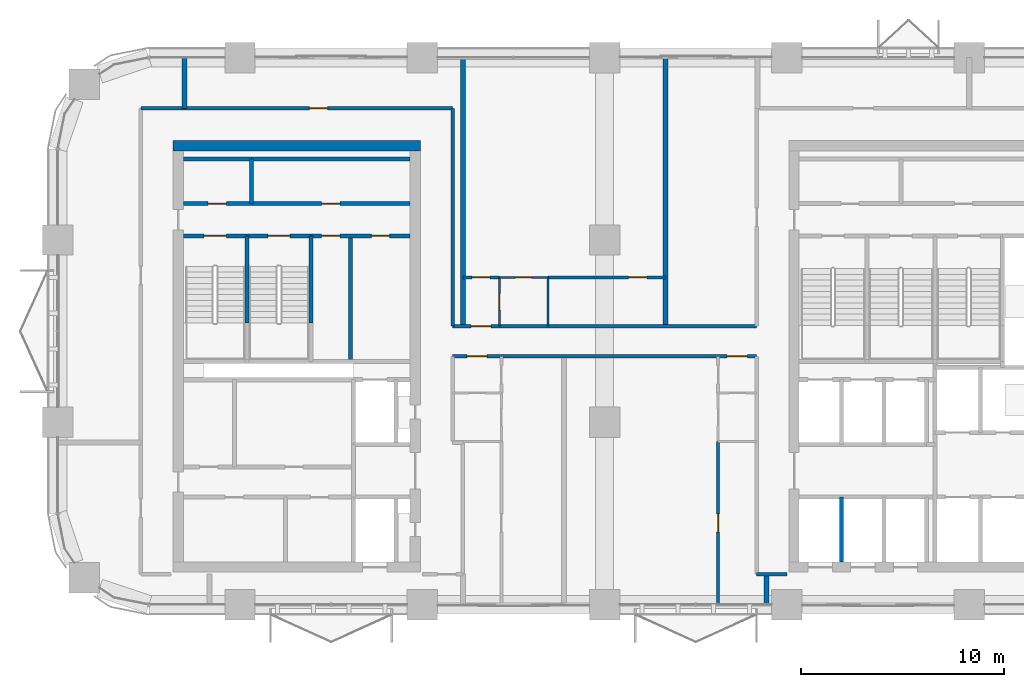
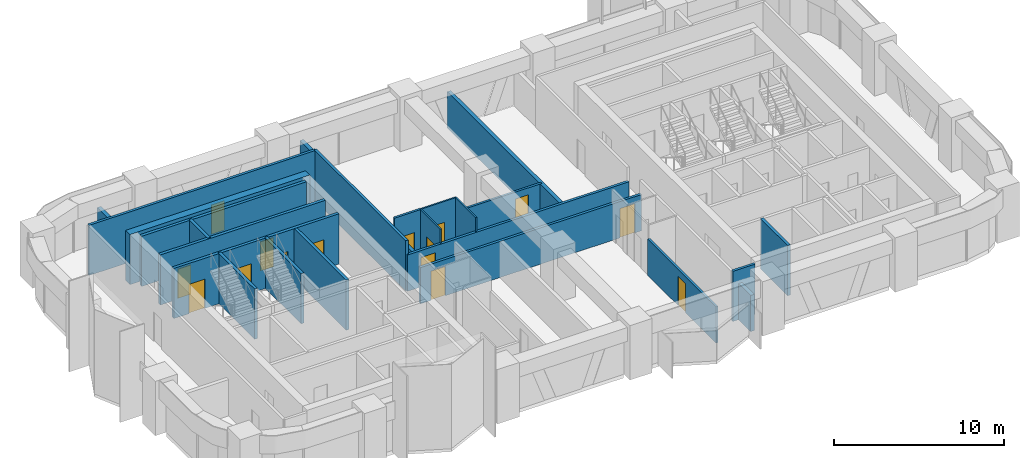
# One storey, part 9 of 14: 25 walls, 15 doors, 15 openings.
"""IFC4 building model written with IfcOpenShell, lengths in metres."""

from ifc_helpers import new_model, si_unit, direction, frame, frame_2d, origin, place, context, subcontext, project, spatial, rectangle, extrude, material, layer, layer_set, type_object, element, fill, save


model = new_model("IFC4")

# Units and contexts
model_context = context("Model", 3, precision=1e-05, world=origin(), true_north=direction((0.0, 1.0)))
body_context = subcontext(model_context, "Body", "Model", "MODEL_VIEW")
ifc_project = project(units=[si_unit("LENGTHUNIT", "METRE"), si_unit("AREAUNIT", "SQUARE_METRE"), si_unit("VOLUMEUNIT", "CUBIC_METRE"), si_unit("PLANEANGLEUNIT", "RADIAN"), si_unit("MASSUNIT", "GRAM", prefix="KILO")], contexts=[model_context])

# Site, building, storey
site_placement = place(None, origin())
site = spatial("IfcSite", under=ifc_project, at=site_placement, CompositionType="ELEMENT")
building_placement = place(site_placement, origin())
building = spatial("IfcBuilding", under=site, at=building_placement, Name="Tessera Arch", CompositionType="ELEMENT")
storey_placement = place(building_placement, frame((0.0, 0.0, 142.699951171875)))
storey = spatial("IfcBuildingStorey", under=building, at=storey_placement, Name="L33", CompositionType="ELEMENT", Elevation=142.699951171875)

# Walls
ifc_material_1 = material(Name="Gypsum board on steel stud", Category="steel")
ifc_layer_1 = layer(ifc_material_1, 0.125)
ifc_layer_set_1 = layer_set([ifc_layer_1], Name="Core partition 125 EI 60")
wall_type_1 = type_object("IfcWallType", Name="Core partition 125 EI 60", PredefinedType="PARTITIONING", material=ifc_layer_set_1)
wall_1_placement = place(storey_placement, frame((9.56005859375, 46.800048828125, 0.0), z_axis=(0.0, 0.0, 1.0), x_axis=(0.0, 1.0, 0.0)))
element("IfcWall", 1, at=wall_1_placement, inside=storey, type_object=wall_type_1, Name="L33 C2 partition wall 4", PredefinedType="PARTITIONING", context=body_context, shape_type="SweptSolid", body=[
    extrude(rectangle(XDim=2.199951171875, YDim=0.199951171875, at=frame_2d((1.10009765625, 0.0))), origin(), (0.0, 0.0, 1.0), 3.60009765625),
])
wall_2_placement = place(storey_placement, frame((14.4599609375, 39.0, 0.0), z_axis=(0.0, 0.0, 1.0), x_axis=(0.0, 1.0, 0.0)))
element("IfcWall", 2, at=wall_2_placement, inside=storey, type_object=wall_type_1, Name="L33 C2 partition wall 8", PredefinedType="PARTITIONING", context=body_context, shape_type="SweptSolid", body=[
    extrude(rectangle(XDim=6.199951171875, YDim=0.199951171875, at=frame_2d((3.10009765625, 0.0))), origin(), (0.0, 0.0, 1.0), 3.60009765625),
])

# Wall, openings, doors
wall_3_placement = place(storey_placement, frame((12.5, 45.199951171875, 0.0), z_axis=(0.0, 0.0, 1.0), x_axis=(1.0, 0.0, 0.0)))
wall_3 = element("IfcWall", 3, at=wall_3_placement, inside=storey, type_object=wall_type_1, Name="L33 C2 partition wall 23", PredefinedType="PARTITIONING", context=body_context, shape_type="SweptSolid", body=[
    extrude(rectangle(XDim=4.89990234375, YDim=0.199951171875, at=frame_2d((2.449951171875, 0.0))), origin(), (0.0, 0.0, 1.0), 3.60009765625),
])
opening_1_placement = place(wall_3_placement, frame((0.530029296875, 0.0, 0.0)))
opening_1 = element("IfcOpeningElement", 4, at=opening_1_placement, cuts=wall_3, Name="Opening L33-C31", PredefinedType="OPENING", context=body_context, shape_type="SweptSolid", body=[
    extrude(rectangle(XDim=0.89990234375, YDim=2.10009765625, at=frame_2d((0.449951171875, 1.050048828125))), frame((0.0, 0.10986328125, 0.0), z_axis=(0.0, -1.0, 0.0), x_axis=(1.0, 0.0, 0.0)), (0.0, 0.0, 1.0), 0.219970703125),
])
opening_2_placement = place(wall_3_placement, frame((2.97998046875, 0.0, 0.0)))
opening_2 = element("IfcOpeningElement", 5, at=opening_2_placement, cuts=wall_3, Name="Opening L33-C32", PredefinedType="OPENING", context=body_context, shape_type="SweptSolid", body=[
    extrude(rectangle(XDim=0.89990234375, YDim=2.10009765625, at=frame_2d((0.449951171875, 1.050048828125))), frame((0.0, 0.10986328125, 0.0), z_axis=(0.0, -1.0, 0.0), x_axis=(1.0, 0.0, 0.0)), (0.0, 0.0, 1.0), 0.219970703125),
])
ifc_material_2 = material(Name="Steel door leaf", Category="steel")
door_type_1 = type_object("IfcDoorType", Name="Store door FD30S 900 x 2100", OperationType="SINGLE_SWING_LEFT", PredefinedType="DOOR", material=ifc_material_2)
door_1_placement = place(opening_1_placement, origin())
door_1 = element("IfcDoor", 6, at=door_1_placement, inside=storey, type_object=door_type_1, Name="L33 C2 door 12 C31 type D09", OperationType="SINGLE_SWING_LEFT", OverallHeight=2.10009765625, OverallWidth=0.89990234375, PredefinedType="DOOR", context=body_context, shape_type="SweptSolid", body=[
    extrude(rectangle(XDim=0.89990234375, YDim=2.10009765625, at=frame_2d((0.449951171875, 1.050048828125))), frame((0.0, 0.02490234375, 0.0), z_axis=(0.0, -1.0, 0.0), x_axis=(1.0, 0.0, 0.0)), (0.0, 0.0, 1.0), 0.050048828125),
])
fill(opening_1, door_1)
door_2_placement = place(opening_2_placement, origin())
door_2 = element("IfcDoor", 7, at=door_2_placement, inside=storey, type_object=door_type_1, Name="L33 C2 door 13 C32 type D09", OperationType="SINGLE_SWING_RIGHT", OverallHeight=2.10009765625, OverallWidth=0.89990234375, PredefinedType="DOOR", context=body_context, shape_type="SweptSolid", body=[
    extrude(rectangle(XDim=0.89990234375, YDim=2.10009765625, at=frame_2d((0.449951171875, 1.050048828125))), frame((0.0, 0.02490234375, 0.0), z_axis=(0.0, -1.0, 0.0), x_axis=(1.0, 0.0, 0.0)), (0.0, 0.0, 1.0), 0.050048828125),
])
fill(opening_2, door_2)

wall_4_placement = place(storey_placement, frame((6.199951171875, 46.800048828125, 0.0), z_axis=(0.0, 0.0, 1.0), x_axis=(1.0, 0.0, 0.0)))
wall_4 = element("IfcWall", 8, at=wall_4_placement, inside=storey, type_object=wall_type_1, Name="L33 C2 partition wall 25", PredefinedType="PARTITIONING", context=body_context, shape_type="SweptSolid", body=[
    extrude(rectangle(XDim=11.199951171875, YDim=0.199951171875, at=frame_2d((5.60009765625, 0.0))), origin(), (0.0, 0.0, 1.0), 3.60009765625),
])
opening_3_placement = place(wall_4_placement, frame((1.22998046875, 0.0, 0.0)))
opening_3 = element("IfcOpeningElement", 9, at=opening_3_placement, cuts=wall_4, Name="Opening L33-C29", PredefinedType="OPENING", context=body_context, shape_type="SweptSolid", body=[
    extrude(rectangle(XDim=0.89990234375, YDim=2.10009765625, at=frame_2d((0.449951171875, 1.050048828125))), frame((0.0, 0.10986328125, 0.0), z_axis=(0.0, -1.0, 0.0), x_axis=(1.0, 0.0, 0.0)), (0.0, 0.0, 1.0), 0.219970703125),
])
opening_4_placement = place(wall_4_placement, frame((6.830078125, 0.0, 0.0)))
opening_4 = element("IfcOpeningElement", 10, at=opening_4_placement, cuts=wall_4, Name="Opening L33-C30", PredefinedType="OPENING", context=body_context, shape_type="SweptSolid", body=[
    extrude(rectangle(XDim=0.89990234375, YDim=2.10009765625, at=frame_2d((0.449951171875, 1.050048828125))), frame((0.0, 0.10986328125, 0.0), z_axis=(0.0, -1.0, 0.0), x_axis=(1.0, 0.0, 0.0)), (0.0, 0.0, 1.0), 0.219970703125),
])
door_3_placement = place(opening_3_placement, origin())
door_3 = element("IfcDoor", 11, at=door_3_placement, inside=storey, type_object=door_type_1, Name="L33 C2 door 10 C29 type D09", OperationType="SINGLE_SWING_LEFT", OverallHeight=2.10009765625, OverallWidth=0.89990234375, PredefinedType="DOOR", context=body_context, shape_type="SweptSolid", body=[
    extrude(rectangle(XDim=0.89990234375, YDim=2.10009765625, at=frame_2d((0.449951171875, 1.050048828125))), frame((0.0, 0.02490234375, 0.0), z_axis=(0.0, -1.0, 0.0), x_axis=(1.0, 0.0, 0.0)), (0.0, 0.0, 1.0), 0.050048828125),
])
fill(opening_3, door_3)
door_4_placement = place(opening_4_placement, origin())
door_4 = element("IfcDoor", 12, at=door_4_placement, inside=storey, type_object=door_type_1, Name="L33 C2 door 11 C30 type D09", OperationType="SINGLE_SWING_RIGHT", OverallHeight=2.10009765625, OverallWidth=0.89990234375, PredefinedType="DOOR", context=body_context, shape_type="SweptSolid", body=[
    extrude(rectangle(XDim=0.89990234375, YDim=2.10009765625, at=frame_2d((0.449951171875, 1.050048828125))), frame((0.0, 0.02490234375, 0.0), z_axis=(0.0, -1.0, 0.0), x_axis=(1.0, 0.0, 0.0)), (0.0, 0.0, 1.0), 0.050048828125),
])
fill(opening_4, door_4)

# Walls
wall_5_placement = place(storey_placement, frame((6.199951171875, 49.0, 0.0), z_axis=(0.0, 0.0, 1.0), x_axis=(1.0, 0.0, 0.0)))
element("IfcWall", 13, at=wall_5_placement, inside=storey, type_object=wall_type_1, Name="L33 C2 partition wall 26", PredefinedType="PARTITIONING", context=body_context, shape_type="SweptSolid", body=[
    extrude(rectangle(XDim=11.199951171875, YDim=0.199951171875, at=frame_2d((5.60009765625, 0.0))), origin(), (0.0, 0.0, 1.0), 3.60009765625),
])
ifc_material_3 = material(Name="Concrete C60/75", Category="concrete")
ifc_layer_2 = layer(ifc_material_3, 0.5)
ifc_layer_set_2 = layer_set([ifc_layer_2], Name="Core shell wall 500 C60-75")
wall_type_2 = type_object("IfcWallType", Name="Core shell wall 500 C60-75", PredefinedType="SHEAR", material=ifc_layer_set_2)
wall_6_placement = place(storey_placement, frame((5.699951171875, 49.64990234375, 0.0), z_axis=(0.0, 0.0, 1.0), x_axis=(1.0, 0.0, 0.0)))
element("IfcWall", 14, at=wall_6_placement, inside=storey, type_object=wall_type_2, Name="L33 C2 core wall N", PredefinedType="SHEAR", context=body_context, shape_type="SweptSolid", body=[
    extrude(rectangle(XDim=12.199951171875, YDim=0.5, at=frame_2d((6.10009765625, 0.0))), origin(), (0.0, 0.0, 1.0), 3.60009765625),
])
ifc_material_4 = material(Name="Gypsum board on deep steel stud with mineral wool", Category="steel")
ifc_layer_3 = layer(ifc_material_4, 0.175048828125)
ifc_layer_set_3 = layer_set([ifc_layer_3], Name="Corridor wall 175 EI 60")
wall_type_3 = type_object("IfcWallType", Name="Corridor wall 175 EI 60", PredefinedType="PARTITIONING", material=ifc_layer_set_3)
wall_7_placement = place(storey_placement, frame((34.5, 28.5, 0.0), z_axis=(0.0, 0.0, 1.0), x_axis=(1.0, 0.0, 0.0)))
element("IfcWall", 15, at=wall_7_placement, inside=storey, type_object=wall_type_3, Name="L33 partition 3", PredefinedType="PARTITIONING", context=body_context, shape_type="SweptSolid", body=[
    extrude(rectangle(XDim=1.5, YDim=0.175048828125, at=frame_2d((0.75, 0.0))), origin(), (0.0, 0.0, 1.0), 3.60009765625),
])

# Wall, openings, doors
wall_8_placement = place(storey_placement, frame((19.5, 39.25, 0.0), z_axis=(0.0, 0.0, 1.0), x_axis=(1.0, 0.0, 0.0)))
wall_8 = element("IfcWall", 16, at=wall_8_placement, inside=storey, type_object=wall_type_3, Name="L33 partition 6", PredefinedType="PARTITIONING", context=body_context, shape_type="SweptSolid", body=[
    extrude(rectangle(XDim=15.0, YDim=0.175048828125, at=frame_2d((7.5, 0.0))), origin(), (0.0, 0.0, 1.0), 2.60009765625),
])
opening_5_placement = place(wall_8_placement, frame((13.550048828125, 0.0, 0.0)))
opening_5 = element("IfcOpeningElement", 17, at=opening_5_placement, cuts=wall_8, Name="Opening L33-D002", PredefinedType="OPENING", context=body_context, shape_type="SweptSolid", body=[
    extrude(rectangle(XDim=1.0, YDim=2.10009765625, at=frame_2d((0.5, 1.050048828125))), frame((0.0, 0.097412109375, 0.0), z_axis=(0.0, -1.0, 0.0), x_axis=(1.0, 0.0, 0.0)), (0.0, 0.0, 1.0), 0.195068359375),
])
opening_6_placement = place(wall_8_placement, frame((0.699951171875, 0.0, 0.0)))
opening_6 = element("IfcOpeningElement", 18, at=opening_6_placement, cuts=wall_8, Name="Opening L33-D007", PredefinedType="OPENING", context=body_context, shape_type="SweptSolid", body=[
    extrude(rectangle(XDim=1.0, YDim=2.10009765625, at=frame_2d((0.5, 1.050048828125))), frame((0.0, 0.097412109375, 0.0), z_axis=(0.0, -1.0, 0.0), x_axis=(1.0, 0.0, 0.0)), (0.0, 0.0, 1.0), 0.195068359375),
])
ifc_material_5 = material(Name="Fire-rated door leaf")
door_type_2 = type_object("IfcDoorType", Name="Entrance door FD30S 1000 x 2100", OperationType="SINGLE_SWING_LEFT", PredefinedType="DOOR", material=ifc_material_5)
door_5_placement = place(opening_5_placement, origin())
door_5 = element("IfcDoor", 19, at=door_5_placement, inside=storey, type_object=door_type_2, Name="L33 door D002 type D03", OperationType="SINGLE_SWING_RIGHT", OverallHeight=2.10009765625, OverallWidth=1.0, PredefinedType="DOOR", context=body_context, shape_type="SweptSolid", body=[
    extrude(rectangle(XDim=1.0, YDim=2.10009765625, at=frame_2d((0.5, 1.050048828125))), frame((0.0, 0.02490234375, 0.0), z_axis=(0.0, -1.0, 0.0), x_axis=(1.0, 0.0, 0.0)), (0.0, 0.0, 1.0), 0.050048828125),
])
fill(opening_5, door_5)
door_6_placement = place(opening_6_placement, origin())
door_6 = element("IfcDoor", 20, at=door_6_placement, inside=storey, type_object=door_type_2, Name="L33 door D007 type D03", OperationType="SINGLE_SWING_LEFT", OverallHeight=2.10009765625, OverallWidth=1.0, PredefinedType="DOOR", context=body_context, shape_type="SweptSolid", body=[
    extrude(rectangle(XDim=1.0, YDim=2.10009765625, at=frame_2d((0.5, 1.050048828125))), frame((0.0, 0.02490234375, 0.0), z_axis=(0.0, -1.0, 0.0), x_axis=(1.0, 0.0, 0.0)), (0.0, 0.0, 1.0), 0.050048828125),
])
fill(opening_6, door_6)

# Wall, opening, door
wall_9_placement = place(storey_placement, frame((19.5, 40.75, 0.0), z_axis=(0.0, 0.0, 1.0), x_axis=(1.0, 0.0, 0.0)))
wall_9 = element("IfcWall", 21, at=wall_9_placement, inside=storey, type_object=wall_type_3, Name="L33 partition 7", PredefinedType="PARTITIONING", context=body_context, shape_type="SweptSolid", body=[
    extrude(rectangle(XDim=15.0, YDim=0.175048828125, at=frame_2d((7.5, 0.0))), origin(), (0.0, 0.0, 1.0), 2.60009765625),
])
opening_7_placement = place(wall_9_placement, frame((0.89990234375, 0.0, 0.0)))
opening_7 = element("IfcOpeningElement", 22, at=opening_7_placement, cuts=wall_9, Name="Opening L33-D014", PredefinedType="OPENING", context=body_context, shape_type="SweptSolid", body=[
    extrude(rectangle(XDim=1.0, YDim=2.10009765625, at=frame_2d((0.5, 1.050048828125))), frame((0.0, 0.097412109375, 0.0), z_axis=(0.0, -1.0, 0.0), x_axis=(1.0, 0.0, 0.0)), (0.0, 0.0, 1.0), 0.195068359375),
])
door_7_placement = place(opening_7_placement, origin())
door_7 = element("IfcDoor", 23, at=door_7_placement, inside=storey, type_object=door_type_2, Name="L33 door D014 type D03", OperationType="SINGLE_SWING_LEFT", OverallHeight=2.10009765625, OverallWidth=1.0, PredefinedType="DOOR", context=body_context, shape_type="SweptSolid", body=[
    extrude(rectangle(XDim=1.0, YDim=2.10009765625, at=frame_2d((0.5, 1.050048828125))), frame((0.0, 0.02490234375, 0.0), z_axis=(0.0, -1.0, 0.0), x_axis=(1.0, 0.0, 0.0)), (0.0, 0.0, 1.0), 0.050048828125),
])
fill(opening_7, door_7)

wall_10_placement = place(storey_placement, frame((4.10009765625, 51.5, 0.0), z_axis=(0.0, 0.0, 1.0), x_axis=(1.0, 0.0, 0.0)))
wall_10 = element("IfcWall", 24, at=wall_10_placement, inside=storey, type_object=wall_type_3, Name="L33 partition 8", PredefinedType="PARTITIONING", context=body_context, shape_type="SweptSolid", body=[
    extrude(rectangle(XDim=15.39990234375, YDim=0.175048828125, at=frame_2d((7.699951171875, 0.0))), origin(), (0.0, 0.0, 1.0), 3.60009765625),
])
opening_8_placement = place(wall_10_placement, frame((8.327392578125, 0.0, 0.0)))
opening_8 = element("IfcOpeningElement", 25, at=opening_8_placement, cuts=wall_10, Name="Opening L33-D020", PredefinedType="OPENING", context=body_context, shape_type="SweptSolid", body=[
    extrude(rectangle(XDim=0.89990234375, YDim=2.10009765625, at=frame_2d((0.449951171875, 1.050048828125))), frame((0.0, 0.097412109375, 0.0), z_axis=(0.0, -1.0, 0.0), x_axis=(1.0, 0.0, 0.0)), (0.0, 0.0, 1.0), 0.195068359375),
])
ifc_material_6 = material(Name="Timber door leaf", Category="wood")
door_type_3 = type_object("IfcDoorType", Name="Room door 900 x 2100", OperationType="SINGLE_SWING_LEFT", PredefinedType="DOOR", material=ifc_material_6)
door_8_placement = place(opening_8_placement, origin())
door_8 = element("IfcDoor", 26, at=door_8_placement, inside=storey, type_object=door_type_3, Name="L33 door D020 type D01", OperationType="SINGLE_SWING_LEFT", OverallHeight=2.10009765625, OverallWidth=0.89990234375, PredefinedType="DOOR", context=body_context, shape_type="SweptSolid", body=[
    extrude(rectangle(XDim=0.89990234375, YDim=2.10009765625, at=frame_2d((0.449951171875, 1.050048828125))), frame((0.0, 0.02490234375, 0.0), z_axis=(0.0, -1.0, 0.0), x_axis=(1.0, 0.0, 0.0)), (0.0, 0.0, 1.0), 0.050048828125),
])
fill(opening_8, door_8)

# Wall
wall_11_placement = place(storey_placement, frame((19.5, 40.75, 0.0), z_axis=(0.0, 0.0, 1.0), x_axis=(0.0, 1.0, 0.0)))
element("IfcWall", 27, at=wall_11_placement, inside=storey, type_object=wall_type_3, Name="L33 partition 12", PredefinedType="PARTITIONING", context=body_context, shape_type="SweptSolid", body=[
    extrude(rectangle(XDim=10.75, YDim=0.175048828125, at=frame_2d((5.375, 0.0))), origin(), (0.0, 0.0, 1.0), 3.60009765625),
])

# Wall, opening, door
ifc_material_7 = material(Name="Gypsum board on steel stud", Category="steel")
ifc_layer_4 = layer(ifc_material_7, 0.14990234375)
ifc_layer_set_4 = layer_set([ifc_layer_4], Name="Partition 150")
wall_type_4 = type_object("IfcWallType", Name="Partition 150", PredefinedType="PARTITIONING", material=ifc_layer_set_4)
wall_12_placement = place(storey_placement, frame((20.0, 43.14990234375, 0.0), z_axis=(0.0, 0.0, 1.0), x_axis=(1.0, 0.0, 0.0)))
wall_12 = element("IfcWall", 28, at=wall_12_placement, inside=storey, type_object=wall_type_4, Name="L33 partition 17", PredefinedType="PARTITIONING", context=body_context, shape_type="SweptSolid", body=[
    extrude(rectangle(XDim=1.800048828125, YDim=0.14990234375, at=frame_2d((0.89990234375, 0.0))), origin(), (0.0, 0.0, 1.0), 3.60009765625),
])
opening_9_placement = place(wall_12_placement, frame((0.449951171875, 0.0, 0.0)))
opening_9 = element("IfcOpeningElement", 29, at=opening_9_placement, cuts=wall_12, Name="Opening L33-D015", PredefinedType="OPENING", context=body_context, shape_type="SweptSolid", body=[
    extrude(rectangle(XDim=0.89990234375, YDim=2.10009765625, at=frame_2d((0.449951171875, 1.050048828125))), frame((0.0, 0.0849609375, 0.0), z_axis=(0.0, -1.0, 0.0), x_axis=(1.0, 0.0, 0.0)), (0.0, 0.0, 1.0), 0.169921875),
])
door_9_placement = place(opening_9_placement, origin())
door_9 = element("IfcDoor", 30, at=door_9_placement, inside=storey, type_object=door_type_3, Name="L33 door D015 type D01", OperationType="SINGLE_SWING_RIGHT", OverallHeight=2.10009765625, OverallWidth=0.89990234375, PredefinedType="DOOR", context=body_context, shape_type="SweptSolid", body=[
    extrude(rectangle(XDim=0.89990234375, YDim=2.10009765625, at=frame_2d((0.449951171875, 1.050048828125))), frame((0.0, 0.02490234375, 0.0), z_axis=(0.0, -1.0, 0.0), x_axis=(1.0, 0.0, 0.0)), (0.0, 0.0, 1.0), 0.050048828125),
])
fill(opening_9, door_9)

wall_13_placement = place(storey_placement, frame((24.199951171875, 43.14990234375, 0.0), z_axis=(0.0, 0.0, 1.0), x_axis=(1.0, 0.0, 0.0)))
wall_13 = element("IfcWall", 31, at=wall_13_placement, inside=storey, type_object=wall_type_4, Name="L33 partition 18", PredefinedType="PARTITIONING", context=body_context, shape_type="SweptSolid", body=[
    extrude(rectangle(XDim=5.800048828125, YDim=0.14990234375, at=frame_2d((2.89990234375, 0.0))), origin(), (0.0, 0.0, 1.0), 2.60009765625),
])
opening_10_placement = place(wall_13_placement, frame((3.989990234375, 0.0, 0.0)))
opening_10 = element("IfcOpeningElement", 32, at=opening_10_placement, cuts=wall_13, Name="Opening L33-D018", PredefinedType="OPENING", context=body_context, shape_type="SweptSolid", body=[
    extrude(rectangle(XDim=0.89990234375, YDim=2.10009765625, at=frame_2d((0.449951171875, 1.050048828125))), frame((0.0, 0.0849609375, 0.0), z_axis=(0.0, -1.0, 0.0), x_axis=(1.0, 0.0, 0.0)), (0.0, 0.0, 1.0), 0.169921875),
])
door_10_placement = place(opening_10_placement, origin())
door_10 = element("IfcDoor", 33, at=door_10_placement, inside=storey, type_object=door_type_3, Name="L33 door D018 type D01", OperationType="SINGLE_SWING_RIGHT", OverallHeight=2.10009765625, OverallWidth=0.89990234375, PredefinedType="DOOR", context=body_context, shape_type="SweptSolid", body=[
    extrude(rectangle(XDim=0.89990234375, YDim=2.10009765625, at=frame_2d((0.449951171875, 1.050048828125))), frame((0.0, 0.02490234375, 0.0), z_axis=(0.0, -1.0, 0.0), x_axis=(1.0, 0.0, 0.0)), (0.0, 0.0, 1.0), 0.050048828125),
])
fill(opening_10, door_10)

wall_14_placement = place(storey_placement, frame((32.60009765625, 27.0, 0.0), z_axis=(0.0, 0.0, 1.0), x_axis=(0.0, 1.0, 0.0)))
wall_14 = element("IfcWall", 34, at=wall_14_placement, inside=storey, type_object=wall_type_4, Name="L33 partition 21", PredefinedType="PARTITIONING", context=body_context, shape_type="SweptSolid", body=[
    extrude(rectangle(XDim=8.050048828125, YDim=0.14990234375, at=frame_2d((4.02490234375, 0.0))), origin(), (0.0, 0.0, 1.0), 2.60009765625),
])
opening_11_placement = place(wall_14_placement, frame((3.574951171875, 0.0, 0.0)))
opening_11 = element("IfcOpeningElement", 35, at=opening_11_placement, cuts=wall_14, Name="Opening L33-D006", PredefinedType="OPENING", context=body_context, shape_type="SweptSolid", body=[
    extrude(rectangle(XDim=0.89990234375, YDim=2.10009765625, at=frame_2d((0.449951171875, 1.050048828125))), frame((0.0, 0.0849609375, 0.0), z_axis=(0.0, -1.0, 0.0), x_axis=(1.0, 0.0, 0.0)), (0.0, 0.0, 1.0), 0.169921875),
])
door_11_placement = place(opening_11_placement, origin())
door_11 = element("IfcDoor", 36, at=door_11_placement, inside=storey, type_object=door_type_3, Name="L33 door D006 type D01", OperationType="SINGLE_SWING_RIGHT", OverallHeight=2.10009765625, OverallWidth=0.89990234375, PredefinedType="DOOR", context=body_context, shape_type="SweptSolid", body=[
    extrude(rectangle(XDim=0.89990234375, YDim=2.10009765625, at=frame_2d((0.449951171875, 1.050048828125))), frame((0.0, 0.02490234375, 0.0), z_axis=(0.0, -1.0, 0.0), x_axis=(1.0, 0.0, 0.0)), (0.0, 0.0, 1.0), 0.050048828125),
])
fill(opening_11, door_11)

# Walls
ifc_material_8 = material(Name="Double gypsum board on twin steel stud with acoustic mineral wool", Category="steel")
ifc_layer_5 = layer(ifc_material_8, 0.25)
ifc_layer_set_5 = layer_set([ifc_layer_5], Name="Party wall 250 EI 60")
wall_type_5 = type_object("IfcWallType", Name="Party wall 250 EI 60", PredefinedType="PARTITIONING", material=ifc_layer_set_5)
wall_15_placement = place(storey_placement, frame((6.2548828125, 51.5, 0.0), z_axis=(0.0, 0.0, 1.0), x_axis=(0.0, 1.0, 0.0)))
element("IfcWall", 37, at=wall_15_placement, inside=storey, type_object=wall_type_5, Name="L33 partition 24", PredefinedType="PARTITIONING", context=body_context, shape_type="SweptSolid", body=[
    extrude(rectangle(XDim=2.5, YDim=0.25, at=frame_2d((1.25, 0.0))), origin(), (0.0, 0.0, 1.0), 2.60009765625),
])
for number, where, z_axis, x_axis, name in (
    (38, (20.0, 40.75, 0.0), (0.0, 0.0, 1.0), (0.0, 1.0, 0.0), "L33 partition 27"),
    (39, (30.0, 40.75, 0.0), (0.0, 0.0, 1.0), (0.0, 1.0, 0.0), "L33 partition 29"),
):
    element("IfcWall", number, at=place(storey_placement, frame(where, z_axis=z_axis, x_axis=x_axis)), inside=storey, type_object=wall_type_5, Name=name, PredefinedType="PARTITIONING", context=body_context, shape_type="SweptSolid", body=[
        extrude(rectangle(XDim=13.25, YDim=0.25, at=frame_2d((6.625, 0.0))), origin(), (0.0, 0.0, 1.0), 2.60009765625),
    ])
wall_16_placement = place(storey_placement, frame((35.0, 27.0, 0.0), z_axis=(0.0, 0.0, 1.0), x_axis=(0.0, 1.0, 0.0)))
element("IfcWall", 40, at=wall_16_placement, inside=storey, type_object=wall_type_5, Name="L33 partition 31", PredefinedType="PARTITIONING", context=body_context, shape_type="SweptSolid", body=[
    extrude(rectangle(XDim=1.5, YDim=0.25, at=frame_2d((0.75, 0.0))), origin(), (0.0, 0.0, 1.0), 2.60009765625),
])
ifc_material_9 = material(Name="Concrete C40/50", Category="concrete")
ifc_layer_6 = layer(ifc_material_9, 0.199951171875)
ifc_layer_set_6 = layer_set([ifc_layer_6], Name="Shaft wall 200 EI 120")
wall_type_6 = type_object("IfcWallType", Name="Shaft wall 200 EI 120", PredefinedType="SOLIDWALL", material=ifc_layer_set_6)
wall_17_placement = place(storey_placement, frame((38.699951171875, 29.10009765625, 0.0), z_axis=(0.0, 0.0, 1.0), x_axis=(0.0, 1.0, 0.0)))
element("IfcWall", 41, at=wall_17_placement, inside=storey, type_object=wall_type_6, Name="L33 C1 shaft wall 1", PredefinedType="SOLIDWALL", context=body_context, shape_type="SweptSolid", body=[
    extrude(rectangle(XDim=3.199951171875, YDim=0.199951171875, at=frame_2d((1.60009765625, 0.0))), origin(), (0.0, 0.0, 1.0), 3.60009765625),
])
ifc_material_10 = material(Name="Concrete C40/50", Category="concrete")
ifc_layer_7 = layer(ifc_material_10, 0.199951171875)
ifc_layer_set_7 = layer_set([ifc_layer_7], Name="Stair well wall 200 REI 180")
wall_type_7 = type_object("IfcWallType", Name="Stair well wall 200 REI 180", PredefinedType="SOLIDWALL", material=ifc_layer_set_7)
for number, where, z_axis, x_axis, name in (
    (42, (9.35009765625, 40.89990234375, 0.0), (0.0, 0.0, 1.0), (0.0, 1.0, 0.0), "L33 C2 shaft wall 3"),
    (43, (12.5, 40.89990234375, 0.0), (0.0, 0.0, 1.0), (0.0, 1.0, 0.0), "L33 C2 shaft wall 7"),
):
    element("IfcWall", number, at=place(storey_placement, frame(where, z_axis=z_axis, x_axis=x_axis)), inside=storey, type_object=wall_type_7, Name=name, PredefinedType="SOLIDWALL", context=body_context, shape_type="SweptSolid", body=[
        extrude(rectangle(XDim=4.300048828125, YDim=0.199951171875, at=frame_2d((2.14990234375, 0.0))), origin(), (0.0, 0.0, 1.0), 3.60009765625),
    ])

# Wall, openings, doors
wall_18_placement = place(storey_placement, frame((6.199951171875, 45.199951171875, 0.0), z_axis=(0.0, 0.0, 1.0), x_axis=(1.0, 0.0, 0.0)))
wall_18 = element("IfcWall", 44, at=wall_18_placement, inside=storey, type_object=wall_type_7, Name="L33 C2 shaft wall 24", PredefinedType="SOLIDWALL", context=body_context, shape_type="SweptSolid", body=[
    extrude(rectangle(XDim=6.300048828125, YDim=0.199951171875, at=frame_2d((3.14990234375, 0.0))), origin(), (0.0, 0.0, 1.0), 3.60009765625),
])
opening_12_placement = place(wall_18_placement, frame((1.02490234375, 0.0, 0.0)))
opening_12 = element("IfcOpeningElement", 45, at=opening_12_placement, cuts=wall_18, Name="Opening L33-C24", PredefinedType="OPENING", context=body_context, shape_type="SweptSolid", body=[
    extrude(rectangle(XDim=1.10009765625, YDim=2.10009765625, at=frame_2d((0.550048828125, 1.050048828125))), frame((0.0, 0.10986328125, 0.0), z_axis=(0.0, -1.0, 0.0), x_axis=(1.0, 0.0, 0.0)), (0.0, 0.0, 1.0), 0.219970703125),
])
opening_13_placement = place(wall_18_placement, frame((4.175048828125, 0.0, 0.0)))
opening_13 = element("IfcOpeningElement", 46, at=opening_13_placement, cuts=wall_18, Name="Opening L33-C25", PredefinedType="OPENING", context=body_context, shape_type="SweptSolid", body=[
    extrude(rectangle(XDim=1.10009765625, YDim=2.10009765625, at=frame_2d((0.550048828125, 1.050048828125))), frame((0.0, 0.10986328125, 0.0), z_axis=(0.0, -1.0, 0.0), x_axis=(1.0, 0.0, 0.0)), (0.0, 0.0, 1.0), 0.219970703125),
])
ifc_material_11 = material(Name="Steel door leaf", Category="steel")
door_type_4 = type_object("IfcDoorType", Name="Stair door FD60 1100 x 2100", OperationType="SINGLE_SWING_LEFT", PredefinedType="DOOR", material=ifc_material_11)
door_12_placement = place(opening_12_placement, origin())
door_12 = element("IfcDoor", 47, at=door_12_placement, inside=storey, type_object=door_type_4, Name="L33 C2 door 5 C24 type D05", OperationType="SINGLE_SWING_LEFT", OverallHeight=2.10009765625, OverallWidth=1.10009765625, PredefinedType="DOOR", context=body_context, shape_type="SweptSolid", body=[
    extrude(rectangle(XDim=1.10009765625, YDim=2.10009765625, at=frame_2d((0.550048828125, 1.050048828125))), frame((0.0, 0.02490234375, 0.0), z_axis=(0.0, -1.0, 0.0), x_axis=(1.0, 0.0, 0.0)), (0.0, 0.0, 1.0), 0.050048828125),
])
fill(opening_12, door_12)
door_13_placement = place(opening_13_placement, origin())
door_13 = element("IfcDoor", 48, at=door_13_placement, inside=storey, type_object=door_type_4, Name="L33 C2 door 6 C25 type D05", OperationType="SINGLE_SWING_RIGHT", OverallHeight=2.10009765625, OverallWidth=1.10009765625, PredefinedType="DOOR", context=body_context, shape_type="SweptSolid", body=[
    extrude(rectangle(XDim=1.10009765625, YDim=2.10009765625, at=frame_2d((0.550048828125, 1.050048828125))), frame((0.0, 0.02490234375, 0.0), z_axis=(0.0, -1.0, 0.0), x_axis=(1.0, 0.0, 0.0)), (0.0, 0.0, 1.0), 0.050048828125),
])
fill(opening_13, door_13)

# Wall, opening, door
ifc_material_12 = material(Name="Moisture-resistant board on pre-plumbed steel stud", Category="steel")
ifc_layer_8 = layer(ifc_material_12, 0.10009765625)
ifc_layer_set_8 = layer_set([ifc_layer_8], Name="Wet wall 100")
wall_type_8 = type_object("IfcWallType", Name="Wet wall 100", PredefinedType="PARTITIONING", material=ifc_layer_set_8)
wall_19_placement = place(storey_placement, frame((21.800048828125, 43.14990234375, 0.0), z_axis=(0.0, 0.0, 1.0), x_axis=(1.0, 0.0, 0.0)))
wall_19 = element("IfcWall", 49, at=wall_19_placement, inside=storey, type_object=wall_type_8, Name="L33 partition 37", PredefinedType="PARTITIONING", context=body_context, shape_type="SweptSolid", body=[
    extrude(rectangle(XDim=2.39990234375, YDim=0.10009765625, at=frame_2d((1.199951171875, 0.0))), origin(), (0.0, 0.0, 1.0), 3.60009765625),
])
opening_14_placement = place(wall_19_placement, frame((0.800048828125, 0.0, 0.0)))
opening_14 = element("IfcOpeningElement", 50, at=opening_14_placement, cuts=wall_19, Name="Opening L33-D017", PredefinedType="OPENING", context=body_context, shape_type="SweptSolid", body=[
    extrude(rectangle(XDim=0.800048828125, YDim=2.10009765625, at=frame_2d((0.39990234375, 1.050048828125))), frame((0.0, 0.06005859375, 0.0), z_axis=(0.0, -1.0, 0.0), x_axis=(1.0, 0.0, 0.0)), (0.0, 0.0, 1.0), 0.1201171875),
])
ifc_material_13 = material(Name="Timber door leaf", Category="wood")
door_type_5 = type_object("IfcDoorType", Name="En-suite door 800 x 2100", OperationType="SINGLE_SWING_LEFT", PredefinedType="DOOR", material=ifc_material_13)
door_14_placement = place(opening_14_placement, origin())
door_14 = element("IfcDoor", 51, at=door_14_placement, inside=storey, type_object=door_type_5, Name="L33 door D017 type D02", OperationType="SINGLE_SWING_LEFT", OverallHeight=2.10009765625, OverallWidth=0.800048828125, PredefinedType="DOOR", context=body_context, shape_type="SweptSolid", body=[
    extrude(rectangle(XDim=0.800048828125, YDim=2.10009765625, at=frame_2d((0.39990234375, 1.050048828125))), frame((0.0, 0.02490234375, 0.0), z_axis=(0.0, -1.0, 0.0), x_axis=(1.0, 0.0, 0.0)), (0.0, 0.0, 1.0), 0.050048828125),
])
fill(opening_14, door_14)

wall_20_placement = place(storey_placement, frame((21.800048828125, 40.75, 0.0), z_axis=(0.0, 0.0, 1.0), x_axis=(0.0, 1.0, 0.0)))
wall_20 = element("IfcWall", 52, at=wall_20_placement, inside=storey, type_object=wall_type_8, Name="L33 partition 38", PredefinedType="PARTITIONING", context=body_context, shape_type="SweptSolid", body=[
    extrude(rectangle(XDim=2.39990234375, YDim=0.10009765625, at=frame_2d((1.199951171875, 0.0))), origin(), (0.0, 0.0, 1.0), 3.60009765625),
])
opening_15_placement = place(wall_20_placement, frame((0.800048828125, 0.0, 0.0)))
opening_15 = element("IfcOpeningElement", 53, at=opening_15_placement, cuts=wall_20, Name="Opening L33-D016", PredefinedType="OPENING", context=body_context, shape_type="SweptSolid", body=[
    extrude(rectangle(XDim=0.800048828125, YDim=2.10009765625, at=frame_2d((0.39990234375, 1.050048828125))), frame((0.0, 0.06005859375, 0.0), z_axis=(0.0, -1.0, 0.0), x_axis=(1.0, 0.0, 0.0)), (0.0, 0.0, 1.0), 0.1201171875),
])
door_15_placement = place(opening_15_placement, origin())
door_15 = element("IfcDoor", 54, at=door_15_placement, inside=storey, type_object=door_type_5, Name="L33 door D016 type D02", OperationType="SINGLE_SWING_RIGHT", OverallHeight=2.10009765625, OverallWidth=0.800048828125, PredefinedType="DOOR", context=body_context, shape_type="SweptSolid", body=[
    extrude(rectangle(XDim=0.800048828125, YDim=2.10009765625, at=frame_2d((0.39990234375, 1.050048828125))), frame((0.0, 0.02490234375, 0.0), z_axis=(0.0, -1.0, 0.0), x_axis=(1.0, 0.0, 0.0)), (0.0, 0.0, 1.0), 0.050048828125),
])
fill(opening_15, door_15)

# Wall
wall_21_placement = place(storey_placement, frame((24.199951171875, 40.75, 0.0), z_axis=(0.0, 0.0, 1.0), x_axis=(0.0, 1.0, 0.0)))
element("IfcWall", 55, at=wall_21_placement, inside=storey, type_object=wall_type_8, Name="L33 partition 40", PredefinedType="PARTITIONING", context=body_context, shape_type="SweptSolid", body=[
    extrude(rectangle(XDim=2.39990234375, YDim=0.10009765625, at=frame_2d((1.199951171875, 0.0))), origin(), (0.0, 0.0, 1.0), 3.60009765625),
])

save(model, "model.ifc")
